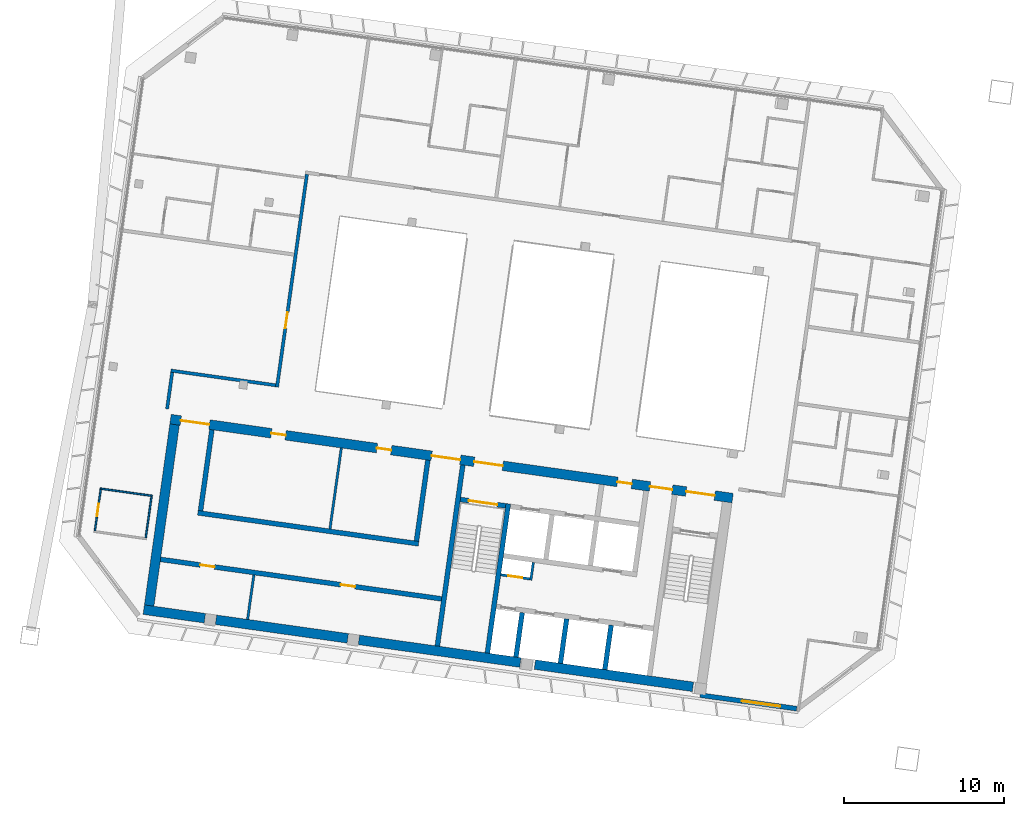
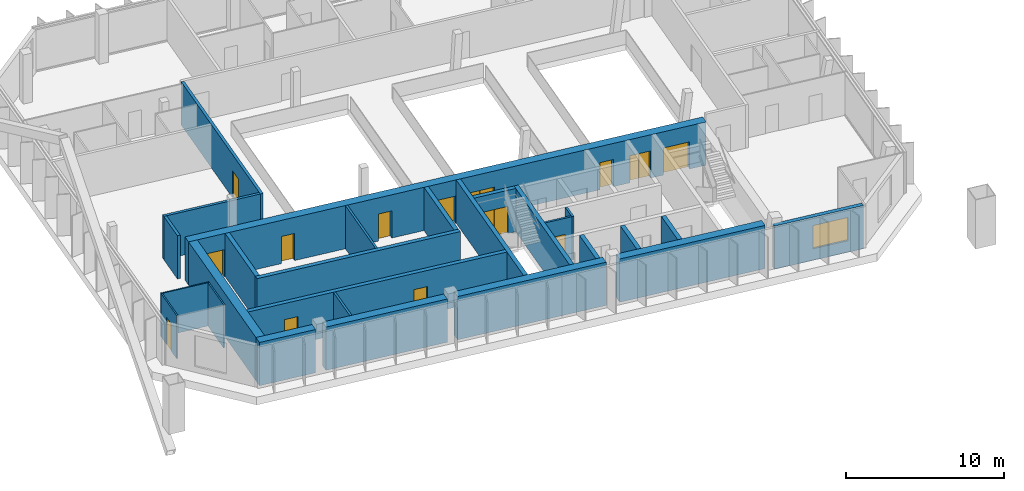
# One storey, part 13 of 23: 27 walls, 14 doors, 1 window, 15 openings.
"""IFC4 building model written with IfcOpenShell, lengths in metres."""

from ifc_helpers import new_model, si_unit, direction, frame, frame_2d, origin, place, context, subcontext, project, spatial, rectangle, extrude, material, layer, layer_set, type_object, element, fill, save


model = new_model("IFC4")

# Units and contexts
model_context = context("Model", 3, precision=1e-05, world=origin(), true_north=direction((0.0, 1.0)))
body_context = subcontext(model_context, "Body", "Model", "MODEL_VIEW")
ifc_project = project(units=[si_unit("LENGTHUNIT", "METRE"), si_unit("AREAUNIT", "SQUARE_METRE"), si_unit("VOLUMEUNIT", "CUBIC_METRE"), si_unit("PLANEANGLEUNIT", "RADIAN"), si_unit("MASSUNIT", "GRAM", prefix="KILO")], contexts=[model_context])

# Site, building, storey
site_placement = place(None, origin())
site = spatial("IfcSite", under=ifc_project, at=site_placement, CompositionType="ELEMENT")
building_placement = place(site_placement, origin())
building = spatial("IfcBuilding", under=site, at=building_placement, Name="Mirante Cascada Hotel Towers", CompositionType="ELEMENT")
storey_placement = place(building_placement, frame((0.0, 0.0, 220.4)))
storey = spatial("IfcBuildingStorey", under=building, at=storey_placement, Name="L52", CompositionType="ELEMENT", Elevation=220.4)

# Wall
ifc_material_1 = material(Name="Fire-rated plasterboard on metal studs")
ifc_layer_1 = layer(ifc_material_1, 0.2)
ifc_layer_set_1 = layer_set([ifc_layer_1], Name="Compartment wall 200 EI 120")
wall_type_1 = type_object("IfcWallType", Name="Compartment wall 200 EI 120", PredefinedType="PARTITIONING", material=ifc_layer_set_1)
wall_1_placement = place(storey_placement, frame((-70.6781, 0.2835, 0.0), z_axis=(0.0, 0.0, 1.0), x_axis=(0.990269, -0.1391661, 0.0)))
element("IfcWall", 1, at=wall_1_placement, inside=storey, type_object=wall_type_1, Name="Wall 1-L52-06", PredefinedType="PARTITIONING", context=body_context, shape_type="SweptSolid", body=[
    extrude(rectangle(XDim=6.6, YDim=0.2, at=frame_2d((3.3, 0.0))), origin(), (0.0, 0.0, 1.0), 3.35),
])

# Wall, opening, door
wall_2_placement = place(storey_placement, frame((-62.1923, 12.5216, 0.0), z_axis=(0.0, 0.0, 1.0), x_axis=(-0.1391716, -0.9902683, 0.0)))
wall_2 = element("IfcWall", 2, at=wall_2_placement, inside=storey, type_object=wall_type_1, Name="Wall 1-L52-48", PredefinedType="PARTITIONING", context=body_context, shape_type="SweptSolid", body=[
    extrude(rectangle(XDim=13.4, YDim=0.2, at=frame_2d((6.7, 0.0))), origin(), (0.0, 0.0, 1.0), 3.35),
])
opening_1_placement = place(wall_2_placement, frame((8.6834, 0.0, 0.0)))
opening_1 = element("IfcOpeningElement", 3, at=opening_1_placement, cuts=wall_2, Name="Opening D1-L52-30", PredefinedType="OPENING", context=body_context, shape_type="SweptSolid", body=[
    extrude(rectangle(XDim=1.0, YDim=2.1, at=frame_2d((0.5, 1.05))), frame((0.0, 0.1, 0.0), z_axis=(0.0, -1.0, 0.0), x_axis=(1.0, 0.0, 0.0)), (0.0, 0.0, 1.0), 0.2),
])
ifc_material_2 = material(Name="Fire-rated timber door leaf", Category="wood")
door_type_1 = type_object("IfcDoorType", Name="Entrance door DG1 1000x2100 EI 60", OperationType="SINGLE_SWING_LEFT", PredefinedType="DOOR", material=ifc_material_2)
door_1_placement = place(opening_1_placement, frame((1.0, 0.0, 0.0), z_axis=(0.0, 0.0, 1.0), x_axis=(-1.0, 0.0, 0.0)))
door_1 = element("IfcDoor", 4, at=door_1_placement, inside=storey, type_object=door_type_1, Name="Door D1-L52-30", OperationType="SINGLE_SWING_RIGHT", OverallHeight=2.1, OverallWidth=1.0, PredefinedType="DOOR", context=body_context, shape_type="SweptSolid", body=[
    extrude(rectangle(XDim=1.0, YDim=2.1, at=frame_2d((0.5, 1.05))), frame((0.0, 0.025, 0.0), z_axis=(0.0, -1.0, 0.0), x_axis=(1.0, 0.0, 0.0)), (0.0, 0.0, 1.0), 0.05),
])
fill(opening_1, door_1)

# Walls
wall_3_placement = place(storey_placement, frame((-70.9131, -2.107, 0.0), z_axis=(0.0, 0.0, 1.0), x_axis=(0.1391749, 0.9902678, 0.0)))
element("IfcWall", 5, at=wall_3_placement, inside=storey, type_object=wall_type_1, Name="Wall 1-L52-51", PredefinedType="PARTITIONING", context=body_context, shape_type="SweptSolid", body=[
    extrude(rectangle(XDim=2.3, YDim=0.2, at=frame_2d((1.15, 0.0))), origin(), (0.0, 0.0, 1.0), 3.35),
])
ifc_material_3 = material(Name="Masonry block", Category="masonry")
ifc_layer_2 = layer(ifc_material_3, 0.15)
ifc_layer_set_2 = layer_set([ifc_layer_2], Name="Core room partition 150 block EI 30")
wall_type_2 = type_object("IfcWallType", Name="Core room partition 150 block EI 30", PredefinedType="PARTITIONING", material=ifc_layer_set_2)
wall_4_placement = place(storey_placement, frame((-48.2295, -12.793, 0.0), z_axis=(0.0, 0.0, 1.0), x_axis=(0.1391935, 0.9902652, 0.0)))
element("IfcWall", 6, at=wall_4_placement, inside=storey, type_object=wall_type_2, Name="Core wall partition T1 L52 2", PredefinedType="PARTITIONING", context=body_context, shape_type="SweptSolid", body=[
    extrude(rectangle(XDim=1.1251, YDim=0.15, at=frame_2d((0.5626, 0.0))), origin(), (0.0, 0.0, 1.0), 3.35),
])

# Wall, opening, door
wall_5_placement = place(storey_placement, frame((-48.2933, -12.7083, 0.0), z_axis=(0.0, 0.0, 1.0), x_axis=(-0.990268, 0.1391734, 0.0)))
wall_5 = element("IfcWall", 7, at=wall_5_placement, inside=storey, type_object=wall_type_2, Name="Core wall partition T1 L52 3", PredefinedType="PARTITIONING", context=body_context, shape_type="SweptSolid", body=[
    extrude(rectangle(XDim=1.8251, YDim=0.15, at=frame_2d((0.9126, 0.0))), origin(), (0.0, 0.0, 1.0), 3.35),
])
opening_2_placement = place(wall_5_placement, frame((0.4625, 0.0, 0.0)))
opening_2 = element("IfcOpeningElement", 8, at=opening_2_placement, cuts=wall_5, Name="Opening D1-52-C15", PredefinedType="OPENING", context=body_context, shape_type="SweptSolid", body=[
    extrude(rectangle(XDim=0.9, YDim=2.1, at=frame_2d((0.45, 1.05))), frame((0.0, 0.075, 0.0), z_axis=(0.0, -1.0, 0.0), x_axis=(1.0, 0.0, 0.0)), (0.0, 0.0, 1.0), 0.15),
])
ifc_material_4 = material(Name="Hollow metal fire door leaf")
door_type_2 = type_object("IfcDoorType", Name="Fire door 900x2100 FD60", OperationType="NOTDEFINED", PredefinedType="DOOR", material=ifc_material_4)
door_2_placement = place(opening_2_placement, origin())
door_2 = element("IfcDoor", 9, at=door_2_placement, inside=storey, type_object=door_type_2, Name="Riser door T1 L52 15", OperationType="SINGLE_SWING_LEFT", OverallHeight=2.1, OverallWidth=0.9, PredefinedType="DOOR", context=body_context, shape_type="SweptSolid", body=[
    extrude(rectangle(XDim=0.9, YDim=2.1, at=frame_2d((0.45, 1.05))), frame((0.0, 0.025, 0.0), z_axis=(0.0, -1.0, 0.0), x_axis=(1.0, 0.0, 0.0)), (0.0, 0.0, 1.0), 0.05),
])
fill(opening_2, door_2)

# Walls
wall_6_placement = place(storey_placement, frame((-65.8911, -15.2337, 0.0), z_axis=(0.0, 0.0, 1.0), x_axis=(0.139181, 0.990267, 0.0)))
element("IfcWall", 10, at=wall_6_placement, inside=storey, type_object=wall_type_2, Name="Core wall partition T1 L52 5", PredefinedType="PARTITIONING", context=body_context, shape_type="SweptSolid", body=[
    extrude(rectangle(XDim=2.8, YDim=0.15, at=frame_2d((1.4, 0.0))), origin(), (0.0, 0.0, 1.0), 3.35),
])
wall_7_placement = place(storey_placement, frame((-60.7561, -9.5935, 0.0), z_axis=(0.0, 0.0, 1.0), x_axis=(0.1391755, 0.9902677, 0.0)))
element("IfcWall", 11, at=wall_7_placement, inside=storey, type_object=wall_type_2, Name="Core wall partition T1 L52 6", PredefinedType="PARTITIONING", context=body_context, shape_type="SweptSolid", body=[
    extrude(rectangle(XDim=5.1, YDim=0.15, at=frame_2d((2.55, 0.0))), origin(), (0.0, 0.0, 1.0), 3.35),
])

# Wall, openings, doors
ifc_material_5 = material(Name="Masonry block", Category="masonry")
ifc_layer_3 = layer(ifc_material_5, 0.3)
ifc_layer_set_3 = layer_set([ifc_layer_3], Name="Core wall 300 block EI 120")
wall_type_3 = type_object("IfcWallType", Name="Core wall 300 block EI 120", PredefinedType="PARTITIONING", material=ifc_layer_set_3)
wall_8_placement = place(storey_placement, frame((-53.7953, -13.9547, 0.0), z_axis=(0.0, 0.0, 1.0), x_axis=(-0.9902678, 0.1391747, 0.0)))
wall_8 = element("IfcWall", 12, at=wall_8_placement, inside=storey, type_object=wall_type_3, Name="Core wall partition T1 L52 4", PredefinedType="PARTITIONING", context=body_context, shape_type="SweptSolid", body=[
    extrude(rectangle(XDim=17.7001, YDim=0.3, at=frame_2d((8.85, 0.0))), origin(), (0.0, 0.0, 1.0), 3.35),
])
opening_3_placement = place(wall_8_placement, frame((5.45, 0.0, 0.0)))
opening_3 = element("IfcOpeningElement", 13, at=opening_3_placement, cuts=wall_8, Name="Opening D1-52-C17", PredefinedType="OPENING", context=body_context, shape_type="SweptSolid", body=[
    extrude(rectangle(XDim=0.9, YDim=2.1, at=frame_2d((0.45, 1.05))), frame((0.0, 0.15, 0.0), z_axis=(0.0, -1.0, 0.0), x_axis=(1.0, 0.0, 0.0)), (0.0, 0.0, 1.0), 0.3),
])
opening_4_placement = place(wall_8_placement, frame((14.3, 0.0, 0.0)))
opening_4 = element("IfcOpeningElement", 14, at=opening_4_placement, cuts=wall_8, Name="Opening D1-52-C18", PredefinedType="OPENING", context=body_context, shape_type="SweptSolid", body=[
    extrude(rectangle(XDim=0.9, YDim=2.1, at=frame_2d((0.45, 1.05))), frame((0.0, 0.15, 0.0), z_axis=(0.0, -1.0, 0.0), x_axis=(1.0, 0.0, 0.0)), (0.0, 0.0, 1.0), 0.3),
])
door_3_placement = place(opening_3_placement, origin())
door_3 = element("IfcDoor", 15, at=door_3_placement, inside=storey, type_object=door_type_2, Name="Room door T1 L52 17", OperationType="SINGLE_SWING_RIGHT", OverallHeight=2.1, OverallWidth=0.9, PredefinedType="DOOR", context=body_context, shape_type="SweptSolid", body=[
    extrude(rectangle(XDim=0.9, YDim=2.1, at=frame_2d((0.45, 1.05))), frame((0.0, 0.025, 0.0), z_axis=(0.0, -1.0, 0.0), x_axis=(1.0, 0.0, 0.0)), (0.0, 0.0, 1.0), 0.05),
])
fill(opening_3, door_3)
door_4_placement = place(opening_4_placement, origin())
door_4 = element("IfcDoor", 16, at=door_4_placement, inside=storey, type_object=door_type_2, Name="Room door T1 L52 18", OperationType="SINGLE_SWING_LEFT", OverallHeight=2.1, OverallWidth=0.9, PredefinedType="DOOR", context=body_context, shape_type="SweptSolid", body=[
    extrude(rectangle(XDim=0.9, YDim=2.1, at=frame_2d((0.45, 1.05))), frame((0.0, 0.025, 0.0), z_axis=(0.0, -1.0, 0.0), x_axis=(1.0, 0.0, 0.0)), (0.0, 0.0, 1.0), 0.05),
])
fill(opening_4, door_4)

# Walls
ifc_material_6 = material(Name="Plasterboard on metal studs")
ifc_layer_4 = layer(ifc_material_6, 0.1)
ifc_layer_set_4 = layer_set([ifc_layer_4], Name="Partition 100")
wall_type_4 = type_object("IfcWallType", Name="Partition 100", PredefinedType="PARTITIONING", material=ifc_layer_set_4)
wall_9_placement = place(storey_placement, frame((-71.8271, -7.5326, 0.0), z_axis=(0.0, 0.0, 1.0), x_axis=(-0.9902705, 0.1391555, 0.0)))
element("IfcWall", 17, at=wall_9_placement, inside=storey, type_object=wall_type_4, Name="Wall 1-L52-03", PredefinedType="PARTITIONING", context=body_context, shape_type="SweptSolid", body=[
    extrude(rectangle(XDim=3.2999, YDim=0.1, at=frame_2d((1.65, 0.0))), origin(), (0.0, 0.0, 1.0), 3.35),
])
wall_10_placement = place(storey_placement, frame((-71.8835, -7.5752, 0.0), z_axis=(0.0, 0.0, 1.0), x_axis=(-0.1391918, -0.9902654, 0.0)))
element("IfcWall", 18, at=wall_10_placement, inside=storey, type_object=wall_type_4, Name="Wall 1-L52-52", PredefinedType="PARTITIONING", context=body_context, shape_type="SweptSolid", body=[
    extrude(rectangle(XDim=2.6, YDim=0.1, at=frame_2d((1.3, 0.0))), origin(), (0.0, 0.0, 1.0), 3.35),
])

# Wall, opening, door
wall_11_placement = place(storey_placement, frame((-75.0524, -7.1298, 0.0), z_axis=(0.0, 0.0, 1.0), x_axis=(-0.1391541, -0.9902707, 0.0)))
wall_11 = element("IfcWall", 19, at=wall_11_placement, inside=storey, type_object=wall_type_4, Name="Wall 1-L52-54", PredefinedType="PARTITIONING", context=body_context, shape_type="SweptSolid", body=[
    extrude(rectangle(XDim=2.6, YDim=0.1, at=frame_2d((1.3, 0.0))), origin(), (0.0, 0.0, 1.0), 3.35),
])
opening_5_placement = place(wall_11_placement, frame((0.9, 0.0, 0.0)))
opening_5 = element("IfcOpeningElement", 20, at=opening_5_placement, cuts=wall_11, Name="Opening D1-L52-33", PredefinedType="OPENING", context=body_context, shape_type="SweptSolid", body=[
    extrude(rectangle(XDim=0.8, YDim=2.1, at=frame_2d((0.4, 1.05))), frame((0.0, 0.05, 0.0), z_axis=(0.0, -1.0, 0.0), x_axis=(1.0, 0.0, 0.0)), (0.0, 0.0, 1.0), 0.1),
])
ifc_material_7 = material(Name="Timber door leaf", Category="wood")
door_type_3 = type_object("IfcDoorType", Name="Bathroom door DG4 800x2100", OperationType="SINGLE_SWING_LEFT", PredefinedType="DOOR", material=ifc_material_7)
door_5_placement = place(opening_5_placement, origin())
door_5 = element("IfcDoor", 21, at=door_5_placement, inside=storey, type_object=door_type_3, Name="Door D1-L52-33", OperationType="SINGLE_SWING_LEFT", OverallHeight=2.1, OverallWidth=0.8, PredefinedType="DOOR", context=body_context, shape_type="SweptSolid", body=[
    extrude(rectangle(XDim=0.8, YDim=2.1, at=frame_2d((0.4, 1.05))), frame((0.0, 0.025, 0.0), z_axis=(0.0, -1.0, 0.0), x_axis=(1.0, 0.0, 0.0)), (0.0, 0.0, 1.0), 0.05),
])
fill(opening_5, door_5)

# Wall, opening, window
ifc_material_8 = material(Name="Precast concrete C40/50", Category="concrete")
ifc_layer_5 = layer(ifc_material_8, 0.3)
ifc_layer_set_5 = layer_set([ifc_layer_5], Name="Precast concrete C40/50 cladding wall 300")
wall_type_5 = type_object("IfcWallType", Name="Precast concrete C40/50 cladding wall 300", PredefinedType="STANDARD", material=ifc_layer_set_5)
wall_12_placement = place(storey_placement, frame((-31.6506, -20.8033, 0.0), z_axis=(0.0, 0.0, 1.0), x_axis=(-0.9902682, 0.1391722, 0.0)))
wall_12 = element("IfcWall", 22, at=wall_12_placement, inside=storey, type_object=wall_type_5, Name="Rear cladding wall T1 L52 1", PredefinedType="STANDARD", context=body_context, shape_type="SweptSolid", body=[
    extrude(rectangle(XDim=6.0824, YDim=0.3, at=frame_2d((3.0412, 0.0))), origin(), (0.0, 0.0, 1.0), 3.35),
])
opening_6_placement = place(wall_12_placement, frame((1.0426, 0.0, 0.9)))
opening_6 = element("IfcOpeningElement", 23, at=opening_6_placement, cuts=wall_12, Name="Opening W1-52-01", PredefinedType="OPENING", context=body_context, shape_type="SweptSolid", body=[
    extrude(rectangle(XDim=2.4, YDim=1.8, at=frame_2d((1.2, 0.9))), frame((0.0, 0.15, 0.0), z_axis=(0.0, -1.0, 0.0), x_axis=(1.0, 0.0, 0.0)), (0.0, 0.0, 1.0), 0.3),
])
ifc_material_9 = material(Name="Aluminium frame with clear double glazing", Category="aluminium")
window_type = type_object("IfcWindowType", Name="Punched window 2400x1800", PartitioningType="DOUBLE_PANEL_VERTICAL", PredefinedType="WINDOW", material=ifc_material_9)
window_placement = place(opening_6_placement, origin())
window = element("IfcWindow", 24, at=window_placement, inside=storey, type_object=window_type, Name="Window W1-52-01", OverallHeight=1.8, OverallWidth=2.4, PartitioningType="SINGLE_PANEL", PredefinedType="WINDOW", context=body_context, shape_type="SweptSolid", body=[
    extrude(rectangle(XDim=2.4, YDim=1.8, at=frame_2d((1.2, 0.9))), frame((0.0, 0.03, 0.0), z_axis=(0.0, -1.0, 0.0), x_axis=(1.0, 0.0, 0.0)), (0.0, 0.0, 1.0), 0.06),
])
fill(opening_6, window)

# Walls
ifc_material_10 = material(Name="Concrete C50/60", Category="concrete")
ifc_layer_6 = layer(ifc_material_10, 0.3)
ifc_layer_set_6 = layer_set([ifc_layer_6], Name="RC core wall 300 C50/60")
wall_type_6 = type_object("IfcWallType", Name="RC core wall 300 C50/60", PredefinedType="SHEAR", material=ifc_layer_set_6)
wall_13_placement = place(storey_placement, frame((-50.938, -17.3352, 0.0), z_axis=(0.0, 0.0, 1.0), x_axis=(0.1391706, 0.9902684, 0.0)))
element("IfcWall", 25, at=wall_13_placement, inside=storey, type_object=wall_type_6, Name="Core wall T1:L52:6", PredefinedType="SHEAR", context=body_context, shape_type="SweptSolid", body=[
    extrude(rectangle(XDim=9.4, YDim=0.3, at=frame_2d((4.7, 0.0))), origin(), (0.0, 0.0, 1.0), 3.35),
])
wall_14_placement = place(storey_placement, frame((-54.0574, -16.8968, 0.0), z_axis=(0.0, 0.0, 1.0), x_axis=(0.1391761, 0.9902677, 0.0)))
element("IfcWall", 26, at=wall_14_placement, inside=storey, type_object=wall_type_6, Name="Core wall T1:L52:7", PredefinedType="SHEAR", context=body_context, shape_type="SweptSolid", body=[
    extrude(rectangle(XDim=11.3999, YDim=0.3, at=frame_2d((5.7, 0.0))), origin(), (0.0, 0.0, 1.0), 3.35),
])

# Wall, opening, door
wall_15_placement = place(storey_placement, frame((-49.7992, -8.1544, 0.0), z_axis=(0.0, 0.0, 1.0), x_axis=(-0.9902656, 0.1391909, 0.0)))
wall_15 = element("IfcWall", 27, at=wall_15_placement, inside=storey, type_object=wall_type_6, Name="Core wall T1:L52:9", PredefinedType="SHEAR", context=body_context, shape_type="SweptSolid", body=[
    extrude(rectangle(XDim=2.85, YDim=0.3, at=frame_2d((1.425, 0.0))), origin(), (0.0, 0.0, 1.0), 3.35),
])
opening_7_placement = place(wall_15_placement, frame((0.525, 0.0, 0.0)))
opening_7 = element("IfcOpeningElement", 28, at=opening_7_placement, cuts=wall_15, Name="Opening D1-52-C09", PredefinedType="OPENING", context=body_context, shape_type="SweptSolid", body=[
    extrude(rectangle(XDim=1.8, YDim=2.1, at=frame_2d((0.9, 1.05))), frame((0.0, 0.15, 0.0), z_axis=(0.0, -1.0, 0.0), x_axis=(1.0, 0.0, 0.0)), (0.0, 0.0, 1.0), 0.3),
])
ifc_material_11 = material(Name="Hollow metal fire door leaf")
door_type_4 = type_object("IfcDoorType", Name="Double fire door 1800x2100 FD60", OperationType="DOUBLE_DOOR_SINGLE_SWING", PredefinedType="DOOR", material=ifc_material_11)
door_6_placement = place(opening_7_placement, origin())
door_6 = element("IfcDoor", 29, at=door_6_placement, inside=storey, type_object=door_type_4, Name="Stair door T1 L52 9", OperationType="DOUBLE_DOOR_SINGLE_SWING", OverallHeight=2.1, OverallWidth=1.8, PredefinedType="DOOR", context=body_context, shape_type="SweptSolid", body=[
    extrude(rectangle(XDim=0.895, YDim=2.1, at=frame_2d((0.4475, 1.05))), frame((0.0, 0.025, 0.0), z_axis=(0.0, -1.0, 0.0), x_axis=(1.0, 0.0, 0.0)), (0.0, 0.0, 1.0), 0.05),
    extrude(rectangle(XDim=0.895, YDim=2.1, at=frame_2d((1.3525, 1.05))), frame((0.0, 0.025, 0.0), z_axis=(0.0, -1.0, 0.0), x_axis=(1.0, 0.0, 0.0)), (0.0, 0.0, 1.0), 0.05),
])
fill(opening_7, door_6)

# Walls
wall_16_placement = place(storey_placement, frame((-43.61, -18.3651, 0.0), z_axis=(0.0, 0.0, 1.0), x_axis=(0.1391459, 0.9902719, 0.0)))
element("IfcWall", 30, at=wall_16_placement, inside=storey, type_object=wall_type_6, Name="Core wall T1:L52:13", PredefinedType="SHEAR", context=body_context, shape_type="SweptSolid", body=[
    extrude(rectangle(XDim=2.7999, YDim=0.3, at=frame_2d((1.4, 0.0))), origin(), (0.0, 0.0, 1.0), 3.35),
])
wall_17_placement = place(storey_placement, frame((-46.3828, -17.9754, 0.0), z_axis=(0.0, 0.0, 1.0), x_axis=(0.139181, 0.990267, 0.0)))
element("IfcWall", 31, at=wall_17_placement, inside=storey, type_object=wall_type_6, Name="Core wall T1:L52:14", PredefinedType="SHEAR", context=body_context, shape_type="SweptSolid", body=[
    extrude(rectangle(XDim=2.8, YDim=0.3, at=frame_2d((1.4, 0.0))), origin(), (0.0, 0.0, 1.0), 3.35),
])
wall_18_placement = place(storey_placement, frame((-49.1555, -17.5857, 0.0), z_axis=(0.0, 0.0, 1.0), x_axis=(0.1391459, 0.9902719, 0.0)))
element("IfcWall", 32, at=wall_18_placement, inside=storey, type_object=wall_type_6, Name="Core wall T1:L52:15", PredefinedType="SHEAR", context=body_context, shape_type="SweptSolid", body=[
    extrude(rectangle(XDim=2.7999, YDim=0.3, at=frame_2d((1.4, 0.0))), origin(), (0.0, 0.0, 1.0), 3.35),
])
wall_19_placement = place(storey_placement, frame((-55.2315, -10.5214, 0.0), z_axis=(0.0, 0.0, 1.0), x_axis=(-0.9902681, 0.1391729, 0.0)))
element("IfcWall", 33, at=wall_19_placement, inside=storey, type_object=wall_type_6, Name="Core wall T1:L52:24", PredefinedType="SHEAR", context=body_context, shape_type="SweptSolid", body=[
    extrude(rectangle(XDim=13.9, YDim=0.3, at=frame_2d((6.95, 0.0))), origin(), (0.0, 0.0, 1.0), 3.35),
])
for number, where, z_axis, x_axis, name in (
    (34, (-55.3592, -10.352, 0.0), (0.0, 0.0, 1.0), (0.1391755, 0.9902677, 0.0), "Core wall T1:L52:25"),
    (35, (-68.8268, -8.4592, 0.0), (0.0, 0.0, 1.0), (0.1391755, 0.9902677, 0.0), "Core wall T1:L52:26"),
):
    element("IfcWall", number, at=place(storey_placement, frame(where, z_axis=z_axis, x_axis=x_axis)), inside=storey, type_object=wall_type_6, Name=name, PredefinedType="SHEAR", context=body_context, shape_type="SweptSolid", body=[
        extrude(rectangle(XDim=5.1, YDim=0.3, at=frame_2d((2.55, 0.0))), origin(), (0.0, 0.0, 1.0), 3.35),
    ])
ifc_material_12 = material(Name="Concrete C50/60", Category="concrete")
ifc_layer_7 = layer(ifc_material_12, 0.6)
ifc_layer_set_7 = layer_set([ifc_layer_7], Name="RC core wall 600 C50/60")
wall_type_7 = type_object("IfcWallType", Name="RC core wall 600 C50/60", PredefinedType="SHEAR", material=ifc_layer_set_7)
wall_20_placement = place(storey_placement, frame((-38.1185, -19.4398, 0.0), z_axis=(0.0, 0.0, 1.0), x_axis=(-0.9902692, 0.1391648, 0.0)))
element("IfcWall", 36, at=wall_20_placement, inside=storey, type_object=wall_type_7, Name="Core wall T1:L52:1.1", PredefinedType="SHEAR", context=body_context, shape_type="SweptSolid", body=[
    extrude(rectangle(XDim=9.9529, YDim=0.6, at=frame_2d((4.9764, 0.0))), origin(), (0.0, 0.0, 1.0), 3.35),
])
wall_21_placement = place(storey_placement, frame((-48.8815, -17.9272, 0.0), z_axis=(0.0, 0.0, 1.0), x_axis=(-0.9902685, 0.13917, 0.0)))
element("IfcWall", 37, at=wall_21_placement, inside=storey, type_object=wall_type_7, Name="Core wall T1:L52:1.2", PredefinedType="SHEAR", context=body_context, shape_type="SweptSolid", body=[
    extrude(rectangle(XDim=10.1689, YDim=0.6, at=frame_2d((5.0844, 0.0))), origin(), (0.0, 0.0, 1.0), 3.35),
])
wall_22_placement = place(storey_placement, frame((-59.6446, -16.4145, 0.0), z_axis=(0.0, 0.0, 1.0), x_axis=(-0.9902686, 0.1391692, 0.0)))
element("IfcWall", 38, at=wall_22_placement, inside=storey, type_object=wall_type_7, Name="Core wall T1:L52:1.3", PredefinedType="SHEAR", context=body_context, shape_type="SweptSolid", body=[
    extrude(rectangle(XDim=8.3, YDim=0.6, at=frame_2d((4.15, 0.0))), origin(), (0.0, 0.0, 1.0), 3.35),
])
wall_23_placement = place(storey_placement, frame((-68.557, -15.162, 0.0), z_axis=(0.0, 0.0, 1.0), x_axis=(-0.990269, 0.1391665, 0.0)))
element("IfcWall", 39, at=wall_23_placement, inside=storey, type_object=wall_type_7, Name="Core wall T1:L52:1.4", PredefinedType="SHEAR", context=body_context, shape_type="SweptSolid", body=[
    extrude(rectangle(XDim=3.8501, YDim=0.6, at=frame_2d((1.925, 0.0))), origin(), (0.0, 0.0, 1.0), 3.35),
])

# Wall, openings, doors
wall_24_placement = place(storey_placement, frame((-35.644, -7.6697, 0.0), z_axis=(0.0, 0.0, 1.0), x_axis=(-0.9902682, 0.1391723, 0.0)))
wall_24 = element("IfcWall", 40, at=wall_24_placement, inside=storey, type_object=wall_type_7, Name="Core wall T1:L52:2", PredefinedType="SHEAR", context=body_context, shape_type="SweptSolid", body=[
    extrude(rectangle(XDim=35.4, YDim=0.6, at=frame_2d((17.7, 0.0))), origin(), (0.0, 0.0, 1.0), 3.35),
])
opening_8_placement = place(wall_24_placement, frame((1.125, 0.0, 0.0)))
opening_8 = element("IfcOpeningElement", 41, at=opening_8_placement, cuts=wall_24, Name="Opening D1-52-C08", PredefinedType="OPENING", context=body_context, shape_type="SweptSolid", body=[
    extrude(rectangle(XDim=1.8, YDim=2.1, at=frame_2d((0.9, 1.05))), frame((0.0, 0.3, 0.0), z_axis=(0.0, -1.0, 0.0), x_axis=(1.0, 0.0, 0.0)), (0.0, 0.0, 1.0), 0.6),
])
opening_9_placement = place(wall_24_placement, frame((14.475, 0.0, 0.0)))
opening_9 = element("IfcOpeningElement", 42, at=opening_9_placement, cuts=wall_24, Name="Opening D1-52-C10", PredefinedType="OPENING", context=body_context, shape_type="SweptSolid", body=[
    extrude(rectangle(XDim=1.8, YDim=2.1, at=frame_2d((0.9, 1.05))), frame((0.0, 0.3, 0.0), z_axis=(0.0, -1.0, 0.0), x_axis=(1.0, 0.0, 0.0)), (0.0, 0.0, 1.0), 0.6),
])
opening_10_placement = place(wall_24_placement, frame((3.8, 0.0, 0.0)))
opening_10 = element("IfcOpeningElement", 43, at=opening_10_placement, cuts=wall_24, Name="Opening D1-52-C11", PredefinedType="OPENING", context=body_context, shape_type="SweptSolid", body=[
    extrude(rectangle(XDim=1.4, YDim=2.1, at=frame_2d((0.7, 1.05))), frame((0.0, 0.3, 0.0), z_axis=(0.0, -1.0, 0.0), x_axis=(1.0, 0.0, 0.0)), (0.0, 0.0, 1.0), 0.6),
])
opening_11_placement = place(wall_24_placement, frame((17.15, 0.0, 0.0)))
opening_11 = element("IfcOpeningElement", 44, at=opening_11_placement, cuts=wall_24, Name="Opening D1-52-C12", PredefinedType="OPENING", context=body_context, shape_type="SweptSolid", body=[
    extrude(rectangle(XDim=1.8, YDim=2.1, at=frame_2d((0.9, 1.05))), frame((0.0, 0.3, 0.0), z_axis=(0.0, -1.0, 0.0), x_axis=(1.0, 0.0, 0.0)), (0.0, 0.0, 1.0), 0.6),
])
opening_12_placement = place(wall_24_placement, frame((32.95, 0.0, 0.0)))
opening_12 = element("IfcOpeningElement", 45, at=opening_12_placement, cuts=wall_24, Name="Opening D1-52-C13", PredefinedType="OPENING", context=body_context, shape_type="SweptSolid", body=[
    extrude(rectangle(XDim=1.8, YDim=2.1, at=frame_2d((0.9, 1.05))), frame((0.0, 0.3, 0.0), z_axis=(0.0, -1.0, 0.0), x_axis=(1.0, 0.0, 0.0)), (0.0, 0.0, 1.0), 0.6),
])
opening_13_placement = place(wall_24_placement, frame((6.35, 0.0, 0.0)))
opening_13 = element("IfcOpeningElement", 46, at=opening_13_placement, cuts=wall_24, Name="Opening D1-52-C16", PredefinedType="OPENING", context=body_context, shape_type="SweptSolid", body=[
    extrude(rectangle(XDim=0.9, YDim=2.1, at=frame_2d((0.45, 1.05))), frame((0.0, 0.3, 0.0), z_axis=(0.0, -1.0, 0.0), x_axis=(1.0, 0.0, 0.0)), (0.0, 0.0, 1.0), 0.6),
])
opening_14_placement = place(wall_24_placement, frame((21.5, 0.0, 0.0)))
opening_14 = element("IfcOpeningElement", 47, at=opening_14_placement, cuts=wall_24, Name="Opening D1-52-C19", PredefinedType="OPENING", context=body_context, shape_type="SweptSolid", body=[
    extrude(rectangle(XDim=0.9, YDim=2.1, at=frame_2d((0.45, 1.05))), frame((0.0, 0.3, 0.0), z_axis=(0.0, -1.0, 0.0), x_axis=(1.0, 0.0, 0.0)), (0.0, 0.0, 1.0), 0.6),
])
opening_15_placement = place(wall_24_placement, frame((28.15, 0.0, 0.0)))
opening_15 = element("IfcOpeningElement", 48, at=opening_15_placement, cuts=wall_24, Name="Opening D1-52-C20", PredefinedType="OPENING", context=body_context, shape_type="SweptSolid", body=[
    extrude(rectangle(XDim=0.9, YDim=2.1, at=frame_2d((0.45, 1.05))), frame((0.0, 0.3, 0.0), z_axis=(0.0, -1.0, 0.0), x_axis=(1.0, 0.0, 0.0)), (0.0, 0.0, 1.0), 0.6),
])
ifc_material_13 = material(Name="Hollow metal fire door leaf")
door_type_5 = type_object("IfcDoorType", Name="Double fire door 1400x2100 FD60", OperationType="DOUBLE_DOOR_SINGLE_SWING", PredefinedType="DOOR", material=ifc_material_13)
door_7_placement = place(opening_10_placement, frame((1.4, 0.0, 0.0), z_axis=(0.0, 0.0, 1.0), x_axis=(-1.0, 0.0, 0.0)))
door_7 = element("IfcDoor", 49, at=door_7_placement, inside=storey, type_object=door_type_5, Name="Exit door to gallery T1 L52 11", OperationType="DOUBLE_DOOR_SINGLE_SWING", OverallHeight=2.1, OverallWidth=1.4, PredefinedType="DOOR", context=body_context, shape_type="SweptSolid", body=[
    extrude(rectangle(XDim=0.695, YDim=2.1, at=frame_2d((0.3475, 1.05))), frame((0.0, 0.025, 0.0), z_axis=(0.0, -1.0, 0.0), x_axis=(1.0, 0.0, 0.0)), (0.0, 0.0, 1.0), 0.05),
    extrude(rectangle(XDim=0.695, YDim=2.1, at=frame_2d((1.0525, 1.05))), frame((0.0, 0.025, 0.0), z_axis=(0.0, -1.0, 0.0), x_axis=(1.0, 0.0, 0.0)), (0.0, 0.0, 1.0), 0.05),
])
fill(opening_10, door_7)
door_8_placement = place(opening_8_placement, origin())
door_8 = element("IfcDoor", 50, at=door_8_placement, inside=storey, type_object=door_type_4, Name="Exit door to gallery T1 L52 8", OperationType="DOUBLE_DOOR_SINGLE_SWING", OverallHeight=2.1, OverallWidth=1.8, PredefinedType="DOOR", context=body_context, shape_type="SweptSolid", body=[
    extrude(rectangle(XDim=0.895, YDim=2.1, at=frame_2d((0.4475, 1.05))), frame((0.0, 0.025, 0.0), z_axis=(0.0, -1.0, 0.0), x_axis=(1.0, 0.0, 0.0)), (0.0, 0.0, 1.0), 0.05),
    extrude(rectangle(XDim=0.895, YDim=2.1, at=frame_2d((1.3525, 1.05))), frame((0.0, 0.025, 0.0), z_axis=(0.0, -1.0, 0.0), x_axis=(1.0, 0.0, 0.0)), (0.0, 0.0, 1.0), 0.05),
])
fill(opening_8, door_8)
door_9_placement = place(opening_9_placement, origin())
door_9 = element("IfcDoor", 51, at=door_9_placement, inside=storey, type_object=door_type_4, Name="Exit door to gallery T1 L52 10", OperationType="DOUBLE_DOOR_SINGLE_SWING", OverallHeight=2.1, OverallWidth=1.8, PredefinedType="DOOR", context=body_context, shape_type="SweptSolid", body=[
    extrude(rectangle(XDim=0.895, YDim=2.1, at=frame_2d((0.4475, 1.05))), frame((0.0, 0.025, 0.0), z_axis=(0.0, -1.0, 0.0), x_axis=(1.0, 0.0, 0.0)), (0.0, 0.0, 1.0), 0.05),
    extrude(rectangle(XDim=0.895, YDim=2.1, at=frame_2d((1.3525, 1.05))), frame((0.0, 0.025, 0.0), z_axis=(0.0, -1.0, 0.0), x_axis=(1.0, 0.0, 0.0)), (0.0, 0.0, 1.0), 0.05),
])
fill(opening_9, door_9)
door_10_placement = place(opening_11_placement, frame((1.8, 0.0, 0.0), z_axis=(0.0, 0.0, 1.0), x_axis=(-1.0, 0.0, 0.0)))
door_10 = element("IfcDoor", 52, at=door_10_placement, inside=storey, type_object=door_type_4, Name="Exit door to gallery T1 L52 12", OperationType="DOUBLE_DOOR_SINGLE_SWING", OverallHeight=2.1, OverallWidth=1.8, PredefinedType="DOOR", context=body_context, shape_type="SweptSolid", body=[
    extrude(rectangle(XDim=0.895, YDim=2.1, at=frame_2d((0.4475, 1.05))), frame((0.0, 0.025, 0.0), z_axis=(0.0, -1.0, 0.0), x_axis=(1.0, 0.0, 0.0)), (0.0, 0.0, 1.0), 0.05),
    extrude(rectangle(XDim=0.895, YDim=2.1, at=frame_2d((1.3525, 1.05))), frame((0.0, 0.025, 0.0), z_axis=(0.0, -1.0, 0.0), x_axis=(1.0, 0.0, 0.0)), (0.0, 0.0, 1.0), 0.05),
])
fill(opening_11, door_10)
door_11_placement = place(opening_12_placement, frame((1.8, 0.0, 0.0), z_axis=(0.0, 0.0, 1.0), x_axis=(-1.0, 0.0, 0.0)))
door_11 = element("IfcDoor", 53, at=door_11_placement, inside=storey, type_object=door_type_4, Name="Exit door to gallery T1 L52 13", OperationType="DOUBLE_DOOR_SINGLE_SWING", OverallHeight=2.1, OverallWidth=1.8, PredefinedType="DOOR", context=body_context, shape_type="SweptSolid", body=[
    extrude(rectangle(XDim=0.895, YDim=2.1, at=frame_2d((0.4475, 1.05))), frame((0.0, 0.025, 0.0), z_axis=(0.0, -1.0, 0.0), x_axis=(1.0, 0.0, 0.0)), (0.0, 0.0, 1.0), 0.05),
    extrude(rectangle(XDim=0.895, YDim=2.1, at=frame_2d((1.3525, 1.05))), frame((0.0, 0.025, 0.0), z_axis=(0.0, -1.0, 0.0), x_axis=(1.0, 0.0, 0.0)), (0.0, 0.0, 1.0), 0.05),
])
fill(opening_12, door_11)
door_12_placement = place(opening_13_placement, origin())
door_12 = element("IfcDoor", 54, at=door_12_placement, inside=storey, type_object=door_type_2, Name="Room door T1 L52 16", OperationType="SINGLE_SWING_RIGHT", OverallHeight=2.1, OverallWidth=0.9, PredefinedType="DOOR", context=body_context, shape_type="SweptSolid", body=[
    extrude(rectangle(XDim=0.9, YDim=2.1, at=frame_2d((0.45, 1.05))), frame((0.0, 0.025, 0.0), z_axis=(0.0, -1.0, 0.0), x_axis=(1.0, 0.0, 0.0)), (0.0, 0.0, 1.0), 0.05),
])
fill(opening_13, door_12)
door_13_placement = place(opening_14_placement, origin())
door_13 = element("IfcDoor", 55, at=door_13_placement, inside=storey, type_object=door_type_2, Name="Room door T1 L52 19", OperationType="SINGLE_SWING_LEFT", OverallHeight=2.1, OverallWidth=0.9, PredefinedType="DOOR", context=body_context, shape_type="SweptSolid", body=[
    extrude(rectangle(XDim=0.9, YDim=2.1, at=frame_2d((0.45, 1.05))), frame((0.0, 0.025, 0.0), z_axis=(0.0, -1.0, 0.0), x_axis=(1.0, 0.0, 0.0)), (0.0, 0.0, 1.0), 0.05),
])
fill(opening_14, door_13)
door_14_placement = place(opening_15_placement, origin())
door_14 = element("IfcDoor", 56, at=door_14_placement, inside=storey, type_object=door_type_2, Name="Room door T1 L52 20", OperationType="SINGLE_SWING_LEFT", OverallHeight=2.1, OverallWidth=0.9, PredefinedType="DOOR", context=body_context, shape_type="SweptSolid", body=[
    extrude(rectangle(XDim=0.9, YDim=2.1, at=frame_2d((0.45, 1.05))), frame((0.0, 0.025, 0.0), z_axis=(0.0, -1.0, 0.0), x_axis=(1.0, 0.0, 0.0)), (0.0, 0.0, 1.0), 0.05),
])
fill(opening_15, door_14)

# Wall
wall_25_placement = place(storey_placement, frame((-72.0307, -14.3708, 0.0), z_axis=(0.0, 0.0, 1.0), x_axis=(0.1391675, 0.9902689, 0.0)))
element("IfcWall", 57, at=wall_25_placement, inside=storey, type_object=wall_type_7, Name="Core wall T1:L52:4", PredefinedType="SHEAR", context=body_context, shape_type="SweptSolid", body=[
    extrude(rectangle(XDim=11.3999, YDim=0.6, at=frame_2d((5.7, 0.0))), origin(), (0.0, 0.0, 1.0), 3.35),
])

save(model, "model.ifc")
